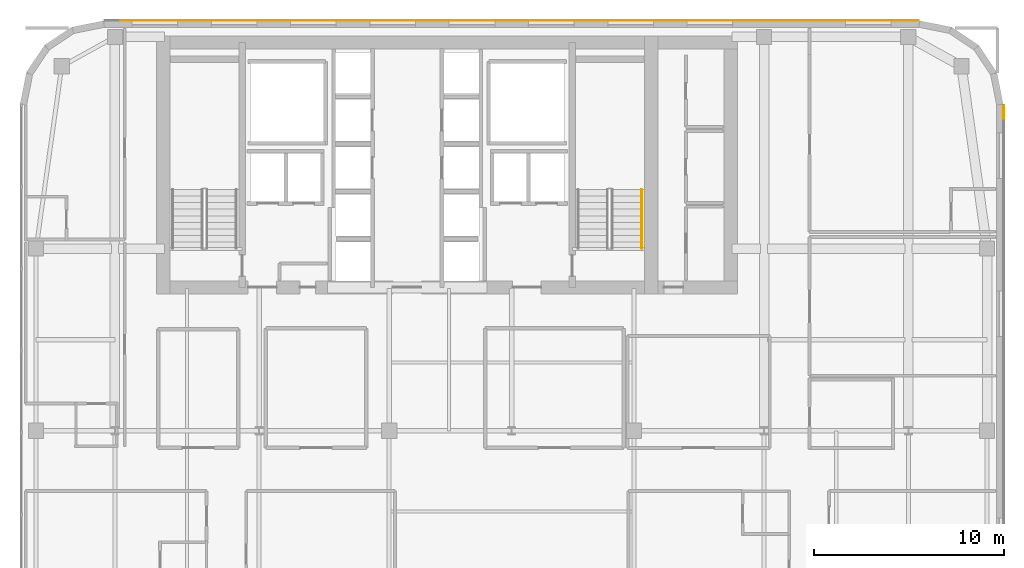
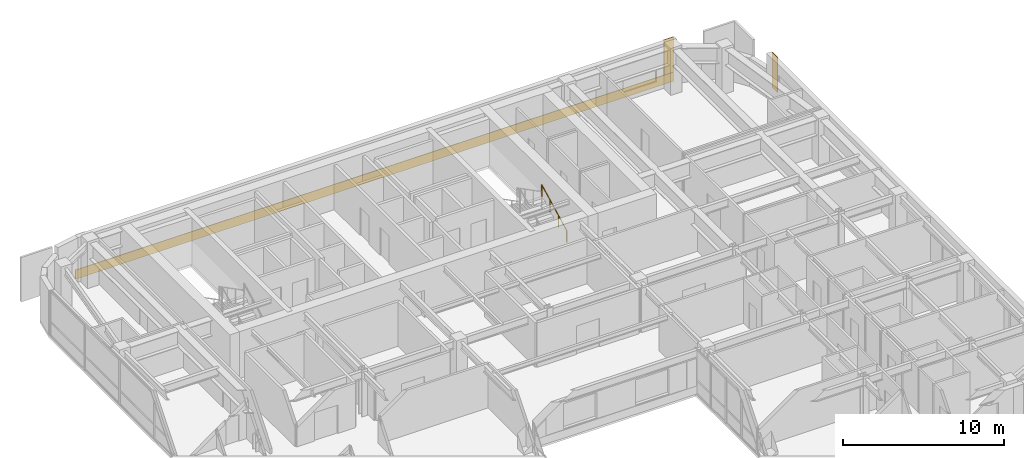
# One storey, part 28 of 28: 3 coverings, 1 railing.
"""IFC4 building model written with IfcOpenShell, lengths in metres."""

from ifc_helpers import new_model, si_unit, direction, frame, origin, origin_2d, place, context, subcontext, project, spatial, polyline, circle, outline, extrude, material, layer, layer_set, type_object, element, save


model = new_model("IFC4")

# Units and contexts
model_context = context("Model", 3, precision=1e-05, world=origin(), true_north=direction((0.0, 1.0)))
body_context = subcontext(model_context, "Body", "Model", "MODEL_VIEW")
ifc_project = project(units=[si_unit("LENGTHUNIT", "METRE"), si_unit("AREAUNIT", "SQUARE_METRE"), si_unit("VOLUMEUNIT", "CUBIC_METRE"), si_unit("PLANEANGLEUNIT", "RADIAN"), si_unit("MASSUNIT", "GRAM", prefix="KILO")], contexts=[model_context])

# Site, building, storey
site_placement = place(None, origin())
site = spatial("IfcSite", under=ifc_project, at=site_placement, CompositionType="ELEMENT")
building_placement = place(site_placement, origin())
building = spatial("IfcBuilding", under=site, at=building_placement, Name="Tolvann Quenvar Hotel", CompositionType="ELEMENT")
storey_placement = place(building_placement, frame((0.0, 0.0, 154.14990234375)))
storey = spatial("IfcBuildingStorey", under=building, at=storey_placement, Name="L40", CompositionType="ELEMENT", Elevation=154.14990234375)

# Coverings
ifc_material_1 = material(Name="Kiln-fired red architectural face brick cladding", Category="masonry")
ifc_layer_1 = layer(ifc_material_1, 0.0400390625)
ifc_layer_set_1 = layer_set([ifc_layer_1], Name="Kiln-fired red architectural face brick cladding")
covering_type_1 = type_object("IfcCoveringType", Name="COV_CLAD_BRICK_40", PredefinedType="CLADDING", material=ifc_layer_set_1)
covering_1_placement = place(storey_placement, frame((0.0, 0.0, 0.7001953125)))
element("IfcCovering", 1, at=covering_1_placement, inside=storey, type_object=covering_type_1, Name="Brick Pier Cladding (L40-E13-P2)", PredefinedType="CLADDING", context=body_context, shape_type="SweptSolid", body=[
    extrude(outline(polyline([(54.39990234375, 40.832763671875), (54.39990234375, 41.53271484375), (54.43994140625, 41.53271484375), (54.43994140625, 40.832763671875), (54.39990234375, 40.832763671875)])), origin(), (0.0, 0.0, 1.0), 2.669921875),
])
covering_2_placement = place(storey_placement, frame((0.0, 0.0, 0.7001953125)))
element("IfcCovering", 2, at=covering_2_placement, inside=storey, type_object=covering_type_1, Name="Brick Pier Cladding (L40-E18-P1)", PredefinedType="CLADDING", context=body_context, shape_type="SweptSolid", body=[
    extrude(outline(polyline([(49.932861328125, 46.0), (49.23291015625, 46.0), (49.23291015625, 46.0400390625), (49.932861328125, 46.0400390625), (49.932861328125, 46.0)])), origin(), (0.0, 0.0, 1.0), 2.669921875),
])
ifc_material_2 = material(Name="Moulded buff architectural terracotta spandrel cladding", Category="masonry")
ifc_layer_2 = layer(ifc_material_2, 0.0400390625)
ifc_layer_set_2 = layer_set([ifc_layer_2], Name="Moulded buff architectural terracotta spandrel cladding")
covering_type_2 = type_object("IfcCoveringType", Name="COV_CLAD_TERRA_40", PredefinedType="CLADDING", material=ifc_layer_set_2)
covering_3_placement = place(storey_placement, origin())
element("IfcCovering", 3, at=covering_3_placement, inside=storey, type_object=covering_type_2, Name="Terracotta Spandrel Cladding (L40-E18)", PredefinedType="CLADDING", context=body_context, shape_type="SweptSolid", body=[
    extrude(outline(polyline([(49.94287109375, 46.0), (7.05712890625, 46.0), (7.05712890625, 46.0400390625), (49.94287109375, 46.0400390625), (49.94287109375, 46.0)])), origin(), (0.0, 0.0, 1.0), 0.7001953125),
])

# Railing
ifc_material_3 = material(Name="Brushed 316 stainless steel balustrade and handrail", Category="steel")
railing_type = type_object("IfcRailingType", Name="HANDRAIL", PredefinedType="HANDRAIL", material=ifc_material_3)
railing_placement = place(storey_placement, frame((35.35009765625, 34.0, 0.177490234375)))
element("IfcRailing", 4, at=railing_placement, inside=storey, type_object=railing_type, Name="L40 ST-C2 stair handrail 1", PredefinedType="HANDRAIL", context=body_context, shape_type="SweptSolid", body=[
    extrude(circle(Radius=0.02392578125, at=origin_2d()), frame((0.0, 0.0, 0.8759765625), z_axis=(0.0, 0.88919353882, 0.457531256332), x_axis=(-1.0, 0.0, 0.0)), (0.0, 0.0, 1.0), 3.491943359375),
    extrude(circle(Radius=0.02099609375, at=origin_2d()), origin(), (0.0, 0.0, 1.0), 0.851806640625),
    extrude(circle(Radius=0.02099609375, at=origin_2d()), frame((0.0, 1.034912109375, 0.532470703125)), (0.0, 0.0, 1.0), 0.851806640625),
    extrude(circle(Radius=0.02099609375, at=origin_2d()), frame((0.0, 2.070068359375, 1.065185546875)), (0.0, 0.0, 1.0), 0.851806640625),
    extrude(circle(Radius=0.02099609375, at=origin_2d()), frame((0.0, 3.10498046875, 1.59765625)), (0.0, 0.0, 1.0), 0.851806640625),
])

save(model, "model.ifc")
